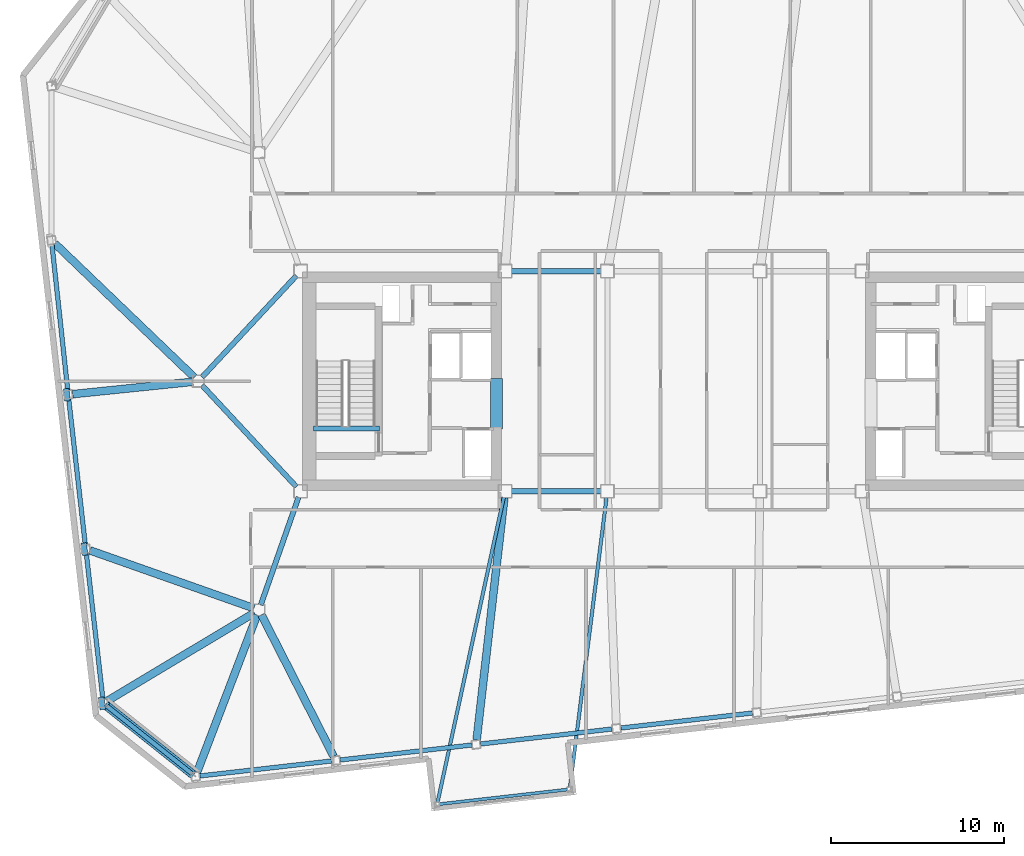
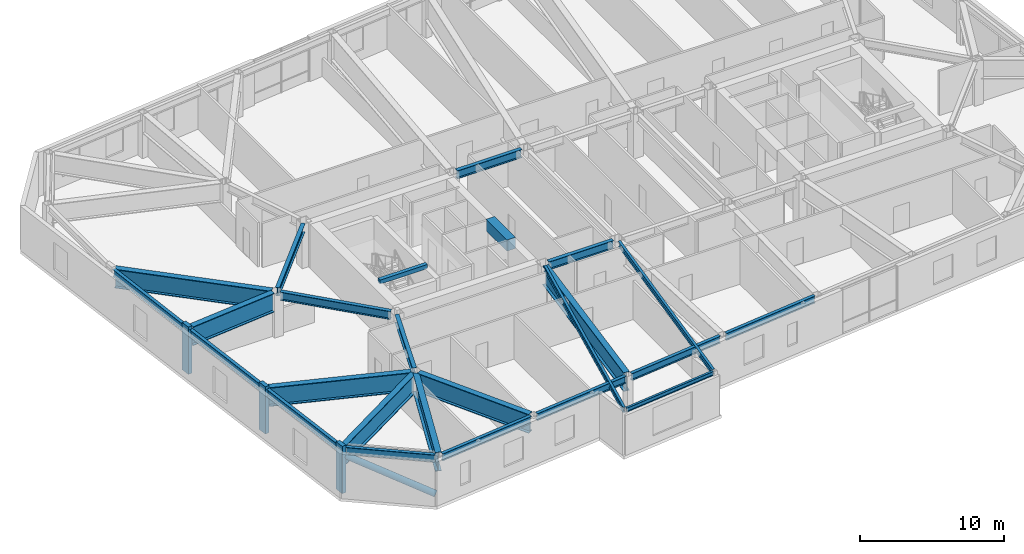
# One storey, part 4 of 18: 25 beams, 4 members.
"""IFC4 building model written with IfcOpenShell, lengths in metres."""

from ifc_helpers import new_model, si_unit, direction, frame, origin, origin_2d, place, context, subcontext, project, spatial, rectangle, hollow_circle, i_section, extrude, material, material_profile, profile_set, type_object, element, save


model = new_model("IFC4")

# Units and contexts
model_context = context("Model", 3, precision=1e-05, world=origin(), true_north=direction((0.0, 1.0)))
body_context = subcontext(model_context, "Body", "Model", "MODEL_VIEW")
ifc_project = project(units=[si_unit("LENGTHUNIT", "METRE"), si_unit("AREAUNIT", "SQUARE_METRE"), si_unit("VOLUMEUNIT", "CUBIC_METRE"), si_unit("PLANEANGLEUNIT", "RADIAN"), si_unit("MASSUNIT", "GRAM", prefix="KILO")], contexts=[model_context])

# Site, building, storey
site_placement = place(None, origin())
site = spatial("IfcSite", under=ifc_project, at=site_placement, CompositionType="ELEMENT")
building_placement = place(site_placement, origin())
building = spatial("IfcBuilding", under=site, at=building_placement, Name="Tavrogorsk Clinical Tower", CompositionType="ELEMENT")
storey_placement = place(building_placement, frame((0.0, 0.0, 226.199951171875)))
storey = spatial("IfcBuildingStorey", under=building, at=storey_placement, Name="L52", CompositionType="ELEMENT", Elevation=226.199951171875)

# Beam
ifc_material_1 = material(Name="Concrete B80", Category="concrete")
ifc_material_profile_1 = material_profile(ifc_material_1, rectangle(XDim=0.699951171875, YDim=0.949951171875, at=origin_2d()), Name="RC-CB-700x950")
ifc_profile_set_1 = profile_set([ifc_material_profile_1], Name="Concrete B80")
beam_type_1 = type_object("IfcBeamType", Name="CouplingBeam_RC700x950", PredefinedType="LINTEL", material=ifc_profile_set_1)
beam_1_placement = place(storey_placement, frame((-10.800048828125, -2.75, 3.26513671875), z_axis=(0.0, 1.0, 0.0), x_axis=(-1.0, 0.0, 0.0)))
element("IfcBeam", 1, at=beam_1_placement, inside=storey, type_object=beam_type_1, Name="L52 Core West Coupling Beam", PredefinedType="LINTEL", context=body_context, shape_type="SweptSolid", body=[
    extrude(rectangle(XDim=0.699951171875, YDim=0.949951171875, at=origin_2d()), origin(), (0.0, 0.0, 1.0), 2.89990234375),
])

# Member
ifc_material_2 = material(Name="Structural steel S440", Category="steel")
ifc_material_profile_2 = material_profile(ifc_material_2, hollow_circle(Radius=0.25390625, WallThickness=0.02001953125, at=origin_2d()), Name="CHS-508x20")
ifc_profile_set_2 = profile_set([ifc_material_profile_2], Name="Structural steel S440")
member_type_1 = type_object("IfcMemberType", Name="ExoBrace_CHS508", PredefinedType="BRACE", material=ifc_profile_set_2)
member_placement = place(storey_placement, frame((-28.3515625, -22.654052734375, 0.398193359375), z_axis=(-0.723851679348, 0.575789482159, 0.380138420237), x_axis=(-0.622522488852, -0.782601910855, 0.0)))
element("IfcMember", 2, at=member_placement, inside=storey, type_object=member_type_1, Name="L52 Corner Exoskeleton Brace W5-S1", PredefinedType="BRACE", context=body_context, shape_type="SweptSolid", body=[
    extrude(hollow_circle(Radius=0.25390625, WallThickness=0.02001953125, at=origin_2d()), origin(), (0.0, 0.0, 1.0), 6.8232421875),
])

# Beams
ifc_material_3 = material(Name="Structural steel S355", Category="steel")
ifc_material_profile_3 = material_profile(ifc_material_3, i_section(OverallWidth=0.199951171875, OverallDepth=0.449951171875, WebThickness=0.011474609375, FlangeThickness=0.01806640625, at=origin_2d()), Name="B-450x200x11.5x18")
ifc_profile_set_3 = profile_set([ifc_material_profile_3], Name="Structural steel S355")
beam_type_2 = type_object("IfcBeamType", Name="FloorBeam_B450", PredefinedType="BEAM", material=ifc_profile_set_3)
beam_2_placement = place(storey_placement, frame((-10.37646484375, -6.701904296875, 3.51513671875), z_axis=(-0.212193508958, -0.977227667822, 0.0), x_axis=(0.977227667822, -0.212193508958, 0.0)))
element("IfcBeam", 3, at=beam_2_placement, inside=storey, type_object=beam_type_2, Name="L52 Day-Room Cantilever Beam DRB-07-L", PredefinedType="BEAM", context=body_context, shape_type="SweptSolid", body=[
    extrude(i_section(OverallWidth=0.199951171875, OverallDepth=0.449951171875, WebThickness=0.011474609375, FlangeThickness=0.01806640625, at=origin_2d()), origin(), (0.0, 0.0, 1.0), 17.985595703125),
])
beam_3_placement = place(storey_placement, frame((-4.445068359375, -6.707275390625, 3.51513671875), z_axis=(-0.125337999953, -0.992114099168, 0.0), x_axis=(0.992114099168, -0.125337999953, 0.0)))
element("IfcBeam", 4, at=beam_3_placement, inside=storey, type_object=beam_type_2, Name="L52 Day-Room Cantilever Beam DRB-07-R", PredefinedType="BEAM", context=body_context, shape_type="SweptSolid", body=[
    extrude(i_section(OverallWidth=0.199951171875, OverallDepth=0.449951171875, WebThickness=0.011474609375, FlangeThickness=0.01806640625, at=origin_2d()), origin(), (0.0, 0.0, 1.0), 16.82958984375),
])

# Members
ifc_material_4 = material(Name="Precast concrete B45 with limestone cladding", Category="masonry")
ifc_material_profile_4 = material_profile(ifc_material_4, rectangle(XDim=0.320068359375, YDim=0.719970703125, at=origin_2d()), Name="LIMESTONE-FIN-320x720")
ifc_profile_set_4 = profile_set([ifc_material_profile_4], Name="Precast concrete B45 with limestone cladding")
member_type_2 = type_object("IfcMemberType", Name="LimestonePleatFin_320x720", PredefinedType="USERDEFINED", material=ifc_profile_set_4)
for number, where, z_axis, x_axis, name in (
    (5, (-35.585205078125, -0.781005859375, 0.0), (0.0, 0.0, 1.0), (0.993571855677, 0.113203213768, 0.0), "L52 W Pleated Stone Fin 2"),
    (6, (-34.571044921875, -9.683349609375, 0.0), (0.0, 0.0, 1.0), (0.993571855677, 0.113203213768, 0.0), "L52 W Pleated Stone Fin 3"),
    (7, (-33.556640625, -18.585693359375, 0.0), (0.0, 0.0, 1.0), (0.993571855677, 0.113203213768, 0.0), "L52 W Pleated Stone Fin 4"),
):
    element("IfcMember", number, at=place(storey_placement, frame(where, z_axis=z_axis, x_axis=x_axis)), inside=storey, type_object=member_type_2, Name=name, ObjectType="FIN", PredefinedType="USERDEFINED", context=body_context, shape_type="SweptSolid", body=[
        extrude(rectangle(XDim=0.320068359375, YDim=0.719970703125, at=origin_2d()), origin(), (0.0, 0.0, 1.0), 4.0),
    ])

# Beams
ifc_material_5 = material(Name="Structural steel S390", Category="steel")
ifc_material_profile_5 = material_profile(ifc_material_5, i_section(OverallWidth=0.300048828125, OverallDepth=0.699951171875, WebThickness=0.01708984375, FlangeThickness=0.028076171875, at=origin_2d()), Name="B-700x300x17x28")
ifc_profile_set_5 = profile_set([ifc_material_profile_5], Name="Structural steel S390")
beam_type_3 = type_object("IfcBeamType", Name="PrimaryGirder_B700", PredefinedType="USERDEFINED", material=ifc_profile_set_5)
for number, where, z_axis, x_axis, name in (
    (8, (-9.93994140625, -6.35009765625, 3.39013671875), (1.0, 0.0, 0.0), (0.0, 1.0, 0.0), "L52 Primary Spine Girder MG-01"),
    (9, (-9.93994140625, 6.35009765625, 3.39013671875), (1.0, 0.0, 0.0), (0.0, 1.0, 0.0), "L52 Primary Spine Girder MG-02"),
):
    element("IfcBeam", number, at=place(storey_placement, frame(where, z_axis=z_axis, x_axis=x_axis)), inside=storey, type_object=beam_type_3, Name=name, ObjectType="GIRDER", PredefinedType="USERDEFINED", context=body_context, shape_type="SweptSolid", body=[
        extrude(i_section(OverallWidth=0.300048828125, OverallDepth=0.699951171875, WebThickness=0.01708984375, FlangeThickness=0.028076171875, at=origin_2d()), origin(), (0.0, 0.0, 1.0), 5.179931640625),
    ])
beam_4_placement = place(storey_placement, frame((-24.3974609375, -12.907470703125, 3.39013671875), z_axis=(0.330654121425, 0.943752007672, 0.0), x_axis=(-0.943752007672, 0.330654121425, 0.0)))
element("IfcBeam", 10, at=beam_4_placement, inside=storey, type_object=beam_type_3, Name="L52 Spine Link Girder OPG-1", ObjectType="GIRDER", PredefinedType="USERDEFINED", context=body_context, shape_type="SweptSolid", body=[
    extrude(i_section(OverallWidth=0.300048828125, OverallDepth=0.699951171875, WebThickness=0.01708984375, FlangeThickness=0.028076171875, at=origin_2d()), origin(), (0.0, 0.0, 1.0), 6.58837890625),
])
for number, where, z_axis, x_axis, name in (
    (11, (-27.7890625, -0.22705078125, 3.39013671875), (0.680684060959, -0.732577101168, 0.0), (0.732577101168, 0.680684060959, 0.0), "L52 Spine Link Girder OPG-5"),
    (12, (-27.7890625, 0.22705078125, 3.39013671875), (0.680684060959, 0.732577101168, 0.0), (-0.732577101168, 0.680684060959, 0.0), "L52 Spine Link Girder OPG-6"),
):
    element("IfcBeam", number, at=place(storey_placement, frame(where, z_axis=z_axis, x_axis=x_axis)), inside=storey, type_object=beam_type_3, Name=name, ObjectType="GIRDER", PredefinedType="USERDEFINED", context=body_context, shape_type="SweptSolid", body=[
        extrude(i_section(OverallWidth=0.300048828125, OverallDepth=0.699951171875, WebThickness=0.01708984375, FlangeThickness=0.028076171875, at=origin_2d()), origin(), (0.0, 0.0, 1.0), 7.998046875),
    ])
ifc_material_6 = material(Name="Structural steel S355", Category="steel")
ifc_material_profile_6 = material_profile(ifc_material_6, i_section(OverallWidth=0.175048828125, OverallDepth=0.35009765625, WebThickness=0.009521484375, FlangeThickness=0.013916015625, at=origin_2d()), Name="B-350x175x9.5x14")
ifc_profile_set_6 = profile_set([ifc_material_profile_6], Name="Structural steel S355")
beam_type_4 = type_object("IfcBeamType", Name="SecondaryJoist_B350", PredefinedType="JOIST", material=ifc_profile_set_6)
beam_5_placement = place(storey_placement, frame((-14.103271484375, -24.40087890625, 3.56494140625), z_axis=(0.993571749414, 0.113204146422, 0.0), x_axis=(-0.113204146422, 0.993571749414, 0.0)))
element("IfcBeam", 13, at=beam_5_placement, inside=storey, type_object=beam_type_4, Name="L52 Day-Room Front Edge Beam DRB-07", PredefinedType="JOIST", context=body_context, shape_type="SweptSolid", body=[
    extrude(i_section(OverallWidth=0.175048828125, OverallDepth=0.35009765625, WebThickness=0.009521484375, FlangeThickness=0.013916015625, at=origin_2d()), origin(), (0.0, 0.0, 1.0), 7.459716796875),
])
ifc_material_7 = material(Name="Structural steel S390", Category="steel")
ifc_material_profile_7 = material_profile(ifc_material_7, i_section(OverallWidth=0.260009765625, OverallDepth=0.60009765625, WebThickness=0.014892578125, FlangeThickness=0.02392578125, at=origin_2d()), Name="B-600x260x15x24")
ifc_profile_set_7 = profile_set([ifc_material_profile_7], Name="Structural steel S390")
beam_type_5 = type_object("IfcBeamType", Name="SpandrelBeam_B600", PredefinedType="SPANDREL", material=ifc_profile_set_7)
for number, where, z_axis, x_axis, name in (
    (14, (-27.908447265625, -22.773193359375, 3.43994140625), (0.993575697004, 0.113169493787, 0.0), (-0.113169493787, 0.993575697004, 0.0), "L52 Perimeter Spandrel S1-S2"),
    (15, (-19.812255859375, -21.850830078125, 3.43994140625), (0.993572099834, 0.113201070804, 0.0), (-0.113201070804, 0.993572099834, 0.0), "L52 Perimeter Spandrel S2-S3"),
):
    element("IfcBeam", number, at=place(storey_placement, frame(where, z_axis=z_axis, x_axis=x_axis)), inside=storey, type_object=beam_type_5, Name=name, PredefinedType="SPANDREL", context=body_context, shape_type="SweptSolid", body=[
        extrude(i_section(OverallWidth=0.260009765625, OverallDepth=0.60009765625, WebThickness=0.014892578125, FlangeThickness=0.02392578125, at=origin_2d()), origin(), (0.0, 0.0, 1.0), 7.632568359375),
    ])
for number, where, z_axis, x_axis, name in (
    (16, (-11.716064453125, -20.928466796875, 3.43994140625), (0.993572509708, 0.113197473259, 0.0), (-0.113197473259, 0.993572509708, 0.0), "L52 Perimeter Spandrel S3-S4"),
    (17, (-3.619873046875, -20.006103515625, 3.43994140625), (0.993568911788, 0.113229048956, 0.0), (-0.113229048956, 0.993568911788, 0.0), "L52 Perimeter Spandrel S4-S5"),
):
    element("IfcBeam", number, at=place(storey_placement, frame(where, z_axis=z_axis, x_axis=x_axis)), inside=storey, type_object=beam_type_5, Name=name, PredefinedType="SPANDREL", context=body_context, shape_type="SweptSolid", body=[
        extrude(i_section(OverallWidth=0.260009765625, OverallDepth=0.60009765625, WebThickness=0.014892578125, FlangeThickness=0.02392578125, at=origin_2d()), origin(), (0.0, 0.0, 1.0), 7.6328125),
    ])
beam_6_placement = place(storey_placement, frame((-36.442138671875, 7.8740234375, 3.43994140625), z_axis=(0.107655746314, -0.994188231818, 0.0), x_axis=(0.994188231818, 0.107655746314, 0.0)))
element("IfcBeam", 18, at=beam_6_placement, inside=storey, type_object=beam_type_5, Name="L52 Perimeter Spandrel W2-W3", PredefinedType="SPANDREL", context=body_context, shape_type="SweptSolid", body=[
    extrude(i_section(OverallWidth=0.260009765625, OverallDepth=0.60009765625, WebThickness=0.014892578125, FlangeThickness=0.02392578125, at=origin_2d()), origin(), (0.0, 0.0, 1.0), 8.4384765625),
])
for number, where, z_axis, x_axis, name in (
    (19, (-35.4765625, -1.0283203125, 3.43994140625), (0.113195129234, -0.99357277676, 0.0), (0.99357277676, 0.113195129234, 0.0), "L52 Perimeter Spandrel W3-W4"),
    (20, (-34.46240234375, -9.9306640625, 3.43994140625), (0.113223671813, -0.993569524563, 0.0), (0.993569524563, 0.113223671813, 0.0), "L52 Perimeter Spandrel W4-W5"),
):
    element("IfcBeam", number, at=place(storey_placement, frame(where, z_axis=z_axis, x_axis=x_axis)), inside=storey, type_object=beam_type_5, Name=name, PredefinedType="SPANDREL", context=body_context, shape_type="SweptSolid", body=[
        extrude(i_section(OverallWidth=0.260009765625, OverallDepth=0.60009765625, WebThickness=0.014892578125, FlangeThickness=0.02392578125, at=origin_2d()), origin(), (0.0, 0.0, 1.0), 8.44384765625),
    ])
beam_7_placement = place(storey_placement, frame((-33.275390625, -18.7373046875, 3.43994140625), z_axis=(0.782608811853, -0.622513813188, 0.0), x_axis=(0.622513813188, 0.782608811853, 0.0)))
element("IfcBeam", 21, at=beam_7_placement, inside=storey, type_object=beam_type_5, Name="L52 Perimeter Spandrel W5-S1", PredefinedType="SPANDREL", context=body_context, shape_type="SweptSolid", body=[
    extrude(i_section(OverallWidth=0.260009765625, OverallDepth=0.60009765625, WebThickness=0.014892578125, FlangeThickness=0.02392578125, at=origin_2d()), origin(), (0.0, 0.0, 1.0), 6.272216796875),
])
ifc_material_8 = material(Name="Concrete B60", Category="concrete")
ifc_material_profile_8 = material_profile(ifc_material_8, rectangle(XDim=0.300048828125, YDim=0.35009765625, at=origin_2d()), Name="RC-SHB-300x350")
ifc_profile_set_8 = profile_set([ifc_material_profile_8], Name="Concrete B60")
beam_type_6 = type_object("IfcBeamType", Name="StairHeaderBeam_RC300x350", PredefinedType="BEAM", material=ifc_profile_set_8)
beam_8_placement = place(storey_placement, frame((-21.35009765625, -2.719970703125, 3.824951171875), z_axis=(1.0, 0.0, 0.0), x_axis=(0.0, 1.0, 0.0)))
element("IfcBeam", 22, at=beam_8_placement, inside=storey, type_object=beam_type_6, Name="L53 ST-W Landing Header Beam", PredefinedType="BEAM", context=body_context, shape_type="SweptSolid", body=[
    extrude(rectangle(XDim=0.300048828125, YDim=0.35009765625, at=origin_2d()), origin(), (0.0, 0.0, 1.0), 3.800048828125),
])
ifc_material_9 = material(Name="Structural steel S440", Category="steel")
ifc_material_profile_9 = material_profile(ifc_material_9, i_section(OverallWidth=0.449951171875, OverallDepth=1.60009765625, WebThickness=0.031982421875, FlangeThickness=0.050048828125, at=origin_2d()), Name="DK-1600x450x32x50")
ifc_profile_set_9 = profile_set([ifc_material_profile_9], Name="Structural steel S440")
beam_type_7 = type_object("IfcBeamType", Name="TransferGirder_DK1600", PredefinedType="USERDEFINED", material=ifc_profile_set_9)
beam_9_placement = place(storey_placement, frame((-24.610595703125, -13.489501953125, 2.93994140625), z_axis=(-0.356548354426, -0.93427687061, 0.0), x_axis=(0.93427687061, -0.356548354426, 0.0)))
element("IfcBeam", 23, at=beam_9_placement, inside=storey, type_object=beam_type_7, Name="L52 Radial Floor Beam S1", ObjectType="GIRDER", PredefinedType="USERDEFINED", context=body_context, shape_type="SweptSolid", body=[
    extrude(i_section(OverallWidth=0.449951171875, OverallDepth=1.60009765625, WebThickness=0.031982421875, FlangeThickness=0.050048828125, at=origin_2d()), origin(), (0.0, 0.0, 1.0), 9.710205078125),
])
beam_10_placement = place(storey_placement, frame((-24.359130859375, -13.47607421875, 2.93994140625), z_axis=(0.454709818127, -0.890639647275, 0.0), x_axis=(0.890639647275, 0.454709818127, 0.0)))
element("IfcBeam", 24, at=beam_10_placement, inside=storey, type_object=beam_type_7, Name="L52 Radial Floor Beam S2", ObjectType="GIRDER", PredefinedType="USERDEFINED", context=body_context, shape_type="SweptSolid", body=[
    extrude(i_section(OverallWidth=0.449951171875, OverallDepth=1.60009765625, WebThickness=0.031982421875, FlangeThickness=0.050048828125, at=origin_2d()), origin(), (0.0, 0.0, 1.0), 9.177978515625),
])
beam_11_placement = place(storey_placement, frame((-10.341064453125, -6.707763671875, 2.93994140625), z_axis=(-0.113743110947, -0.993510193562, 0.0), x_axis=(0.993510193562, -0.113743110947, 0.0)))
element("IfcBeam", 25, at=beam_11_placement, inside=storey, type_object=beam_type_7, Name="L52 Radial Floor Beam S3", ObjectType="GIRDER", PredefinedType="USERDEFINED", context=body_context, shape_type="SweptSolid", body=[
    extrude(i_section(OverallWidth=0.449951171875, OverallDepth=1.60009765625, WebThickness=0.031982421875, FlangeThickness=0.050048828125, at=origin_2d()), origin(), (0.0, 0.0, 1.0), 14.084716796875),
])
beam_12_placement = place(storey_placement, frame((-28.2236328125, 0.214599609375, 2.93994140625), z_axis=(-0.721413519982, 0.692504536582, 0.0), x_axis=(-0.692504536582, -0.721413519982, 0.0)))
element("IfcBeam", 26, at=beam_12_placement, inside=storey, type_object=beam_type_7, Name="L52 Radial Floor Beam W2", ObjectType="GIRDER", PredefinedType="USERDEFINED", context=body_context, shape_type="SweptSolid", body=[
    extrude(i_section(OverallWidth=0.449951171875, OverallDepth=1.60009765625, WebThickness=0.031982421875, FlangeThickness=0.050048828125, at=origin_2d()), origin(), (0.0, 0.0, 1.0), 11.1728515625),
])
beam_13_placement = place(storey_placement, frame((-28.308349609375, -0.03173828125, 2.93994140625), z_axis=(-0.994752624307, -0.102309415177, 0.0), x_axis=(0.102309415177, -0.994752624307, 0.0)))
element("IfcBeam", 27, at=beam_13_placement, inside=storey, type_object=beam_type_7, Name="L52 Radial Floor Beam W3", ObjectType="GIRDER", PredefinedType="USERDEFINED", context=body_context, shape_type="SweptSolid", body=[
    extrude(i_section(OverallWidth=0.449951171875, OverallDepth=1.60009765625, WebThickness=0.031982421875, FlangeThickness=0.050048828125, at=origin_2d()), origin(), (0.0, 0.0, 1.0), 6.9775390625),
])
beam_14_placement = place(storey_placement, frame((-24.792236328125, -13.096923828125, 2.93994140625), z_axis=(-0.943014153926, 0.332752619067, 0.0), x_axis=(-0.332752619067, -0.943014153926, 0.0)))
element("IfcBeam", 28, at=beam_14_placement, inside=storey, type_object=beam_type_7, Name="L52 Radial Floor Beam W4", ObjectType="GIRDER", PredefinedType="USERDEFINED", context=body_context, shape_type="SweptSolid", body=[
    extrude(i_section(OverallWidth=0.449951171875, OverallDepth=1.60009765625, WebThickness=0.031982421875, FlangeThickness=0.050048828125, at=origin_2d()), origin(), (0.0, 0.0, 1.0), 10.027587890625),
])
beam_15_placement = place(storey_placement, frame((-24.765869140625, -13.359375, 2.93994140625), z_axis=(-0.857906237315, -0.513806274754, 0.0), x_axis=(0.513806274754, -0.857906237315, 0.0)))
element("IfcBeam", 29, at=beam_15_placement, inside=storey, type_object=beam_type_7, Name="L52 Radial Floor Beam W5", ObjectType="GIRDER", PredefinedType="USERDEFINED", context=body_context, shape_type="SweptSolid", body=[
    extrude(i_section(OverallWidth=0.449951171875, OverallDepth=1.60009765625, WebThickness=0.031982421875, FlangeThickness=0.050048828125, at=origin_2d()), origin(), (0.0, 0.0, 1.0), 9.896240234375),
])

save(model, "model.ifc")
